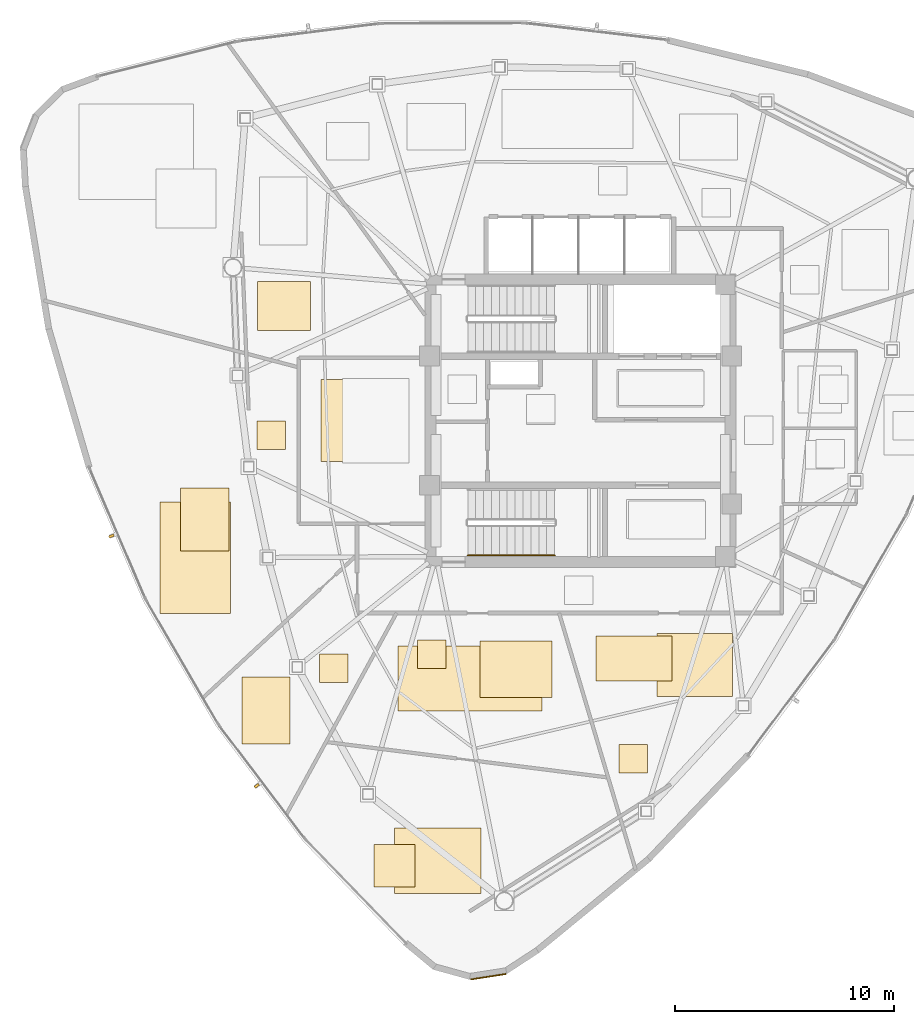
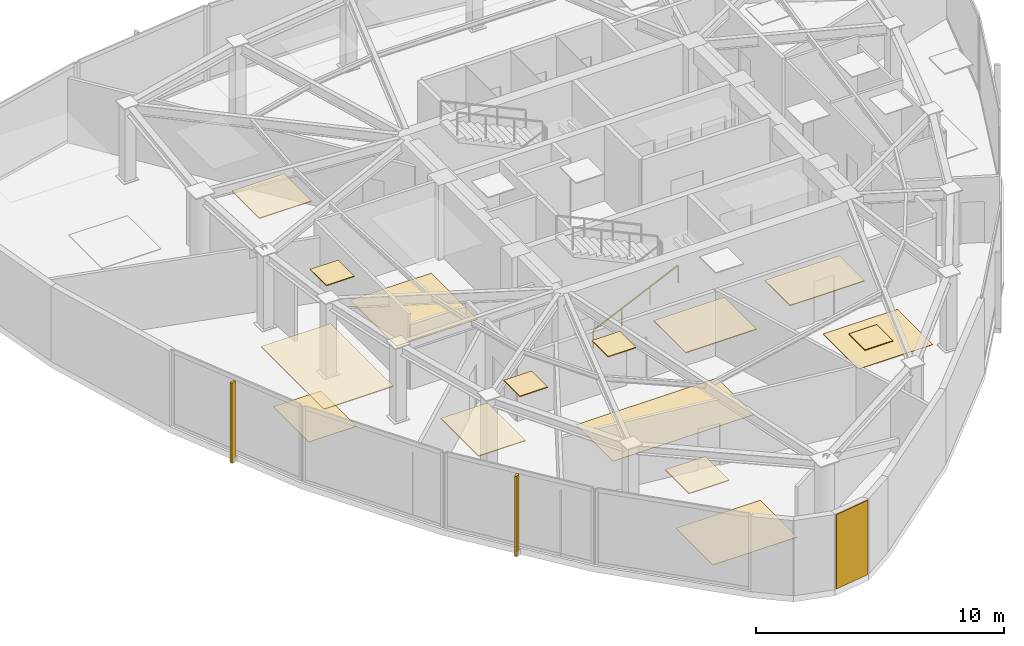
# One storey, part 10 of 12: 16 coverings, 2 shading devices, 1 railing.
"""IFC4 building model written with IfcOpenShell, lengths in metres."""

from ifc_helpers import new_model, si_unit, direction, frame, origin, origin_2d, place, context, subcontext, project, spatial, polyline, rectangle, outline, extrude, source, transform, mapped, material, layer, layer_set, type_object, type_shapes, element, save


model = new_model("IFC4")

# Units and contexts
model_context = context("Model", 3, precision=1e-05, world=origin(), true_north=direction((0.0, 1.0)))
body_context = subcontext(model_context, "Body", "Model", "MODEL_VIEW")
ifc_project = project(units=[si_unit("LENGTHUNIT", "METRE"), si_unit("AREAUNIT", "SQUARE_METRE"), si_unit("VOLUMEUNIT", "CUBIC_METRE"), si_unit("PLANEANGLEUNIT", "RADIAN"), si_unit("MASSUNIT", "GRAM", prefix="KILO")], contexts=[model_context])

# Site, building, storey
site_placement = place(None, origin())
site = spatial("IfcSite", under=ifc_project, at=site_placement, CompositionType="ELEMENT")
building_placement = place(site_placement, origin())
building = spatial("IfcBuilding", under=site, at=building_placement, Name="Tavelor Broadcast Tower", CompositionType="ELEMENT")
storey_placement = place(building_placement, frame((0.0, 0.0, 281.5)))
storey = spatial("IfcBuildingStorey", under=building, at=storey_placement, Name="L67", CompositionType="ELEMENT", Elevation=281.5)

# Covering
ifc_material_1 = material(Name="Copper-Bronze Anodized Aluminium", Category="aluminium")
ifc_layer_1 = layer(ifc_material_1, 0.050048828125)
ifc_layer_set_1 = layer_set([ifc_layer_1], Name="Copper-Bronze Anodized Aluminium")
covering_type_1 = type_object("IfcCoveringType", Name="Champagne-Bronze Corner Pier Metal Cladding 50 mm", PredefinedType="CLADDING", material=ifc_layer_set_1)
covering_1_placement = place(storey_placement, frame((45.785888671875, 19.625244140625, 0.02001953125), z_axis=(0.0, 0.0, 1.0), x_axis=(0.988094499846, 0.153848169873, 0.0)))
element("IfcCovering", 1, at=covering_1_placement, inside=storey, type_object=covering_type_1, Name="L67 Champagne-Bronze Corner Cladding 13", PredefinedType="CLADDING", context=body_context, shape_type="SweptSolid", body=[
    extrude(rectangle(XDim=1.6337890625, YDim=0.050048828125, at=origin_2d()), origin(), (0.0, 0.0, 1.0), 3.659912109375),
])

# Railing
ifc_material_2 = material(Name="Steel S355", Category="steel")
railing_type = type_object("IfcRailingType", Name="Continuous Brushed Stainless Handrail 900 mm", PredefinedType="HANDRAIL", material=ifc_material_2)
railing_placement = place(storey_placement, frame((44.85009765625, 38.85009765625, 0.166748046875)))
element("IfcRailing", 2, at=railing_placement, inside=storey, type_object=railing_type, Name="L67 ST2 stair handrail 1", PredefinedType="HANDRAIL", context=body_context, shape_type="SweptSolid", body=[
    extrude(rectangle(XDim=0.048095703125, YDim=0.048095703125, at=origin_2d()), frame((0.0, 0.0, 0.8759765625), z_axis=(0.907472437036, 0.0, 0.420111623286), x_axis=(0.0, 1.0, 0.0)), (0.0, 0.0, 1.0), 4.36376953125),
    extrude(rectangle(XDim=0.0419921875, YDim=0.0419921875, at=origin_2d()), origin(), (0.0, 0.0, 1.0), 0.851806640625),
    extrude(rectangle(XDim=0.0419921875, YDim=0.0419921875, at=origin_2d()), frame((1.320068359375, 0.0, 0.611083984375)), (0.0, 0.0, 1.0), 0.851806640625),
    extrude(rectangle(XDim=0.0419921875, YDim=0.0419921875, at=origin_2d()), frame((2.639892578125, 0.0, 1.22216796875)), (0.0, 0.0, 1.0), 0.851806640625),
    extrude(rectangle(XDim=0.0419921875, YDim=0.0419921875, at=origin_2d()), frame((3.9599609375, 0.0, 1.833251953125)), (0.0, 0.0, 1.0), 0.851806640625),
])

# Coverings
ifc_material_3 = material(Name="Acoustic Nylon Carpet Tile")
ifc_layer_2 = layer(ifc_material_3, 0.02001953125)
ifc_layer_set_2 = layer_set([ifc_layer_2], Name="Acoustic Nylon Carpet Tile")
covering_type_2 = type_object("IfcCoveringType", Name="Heavy-Duty Acoustic Broadcast Carpet Tile 20 mm", PredefinedType="FLOORING", material=ifc_layer_set_2)
covering_2_placement = place(storey_placement, origin())
element("IfcCovering", 3, at=covering_2_placement, inside=storey, type_object=covering_type_2, Name="L67 Broadcast Floor Finish 0999", PredefinedType="FLOORING", context=body_context, shape_type="SweptSolid", body=[
    extrude(outline(polyline([(38.15771484375, 43.12890625), (41.942138671875, 43.12890625), (41.942138671875, 46.87060546875), (38.15771484375, 46.87060546875), (38.15771484375, 43.12890625)])), origin(), (0.0, 0.0, 1.0), 0.02001953125),
])
covering_3_placement = place(storey_placement, origin())
element("IfcCovering", 4, at=covering_3_placement, inside=storey, type_object=covering_type_2, Name="L67 Broadcast Floor Finish 1003", PredefinedType="FLOORING", context=body_context, shape_type="SweptSolid", body=[
    extrude(outline(polyline([(53.481689453125, 32.42138671875), (56.940673828125, 32.42138671875), (56.940673828125, 35.277587890625), (53.481689453125, 35.277587890625), (53.481689453125, 32.42138671875)])), origin(), (0.0, 0.0, 1.0), 0.02001953125),
])
covering_4_placement = place(storey_placement, origin())
element("IfcCovering", 5, at=covering_4_placement, inside=storey, type_object=covering_type_2, Name="L67 Broadcast Floor Finish 1004", PredefinedType="FLOORING", context=body_context, shape_type="SweptSolid", body=[
    extrude(outline(polyline([(41.515869140625, 23.43115234375), (45.443603515625, 23.43115234375), (45.443603515625, 26.4228515625), (41.515869140625, 26.4228515625), (41.515869140625, 23.43115234375)])), origin(), (0.0, 0.0, 1.0), 0.02001953125),
])
covering_5_placement = place(storey_placement, origin())
element("IfcCovering", 6, at=covering_5_placement, inside=storey, type_object=covering_type_2, Name="L67 Broadcast Floor Finish 1005", PredefinedType="FLOORING", context=body_context, shape_type="SweptSolid", body=[
    extrude(outline(polyline([(31.7294921875, 39.0546875), (33.948974609375, 39.0546875), (33.948974609375, 41.927001953125), (31.7294921875, 41.927001953125), (31.7294921875, 39.0546875)])), origin(), (0.0, 0.0, 1.0), 0.02001953125),
])
covering_6_placement = place(storey_placement, origin())
element("IfcCovering", 7, at=covering_6_placement, inside=storey, type_object=covering_type_2, Name="L67 Broadcast Floor Finish 1008", PredefinedType="FLOORING", context=body_context, shape_type="SweptSolid", body=[
    extrude(outline(polyline([(41.67138671875, 31.759521484375), (48.234619140625, 31.759521484375), (48.234619140625, 34.727294921875), (41.67138671875, 34.727294921875), (41.67138671875, 31.759521484375)])), origin(), (0.0, 0.0, 1.0), 0.02001953125),
])
ifc_material_4 = material(Name="Acoustic Mineral Fibre Tile")
ifc_layer_3 = layer(ifc_material_4, 0.0400390625)
ifc_layer_set_3 = layer_set([ifc_layer_3], Name="Acoustic Mineral Fibre Tile")
covering_type_3 = type_object("IfcCoveringType", Name="Suspended Acoustic Mineral-Fibre Office Ceiling 40 mm", PredefinedType="CEILING", material=ifc_layer_set_3)
covering_7_placement = place(storey_placement, frame((0.0, 0.0, 3.659912109375)))
element("IfcCovering", 8, at=covering_7_placement, inside=storey, type_object=covering_type_3, Name="L67 Suspended Acoustic Ceiling 2578", PredefinedType="CEILING", context=body_context, shape_type="SweptSolid", body=[
    extrude(outline(polyline([(51.75830078125, 28.91162109375), (53.058349609375, 28.91162109375), (53.058349609375, 30.211669921875), (51.75830078125, 30.211669921875), (51.75830078125, 28.91162109375)])), origin(), (0.0, 0.0, 1.0), 0.0400390625),
])
covering_8_placement = place(storey_placement, frame((0.0, 0.0, 3.659912109375)))
element("IfcCovering", 9, at=covering_8_placement, inside=storey, type_object=covering_type_3, Name="L67 Suspended Acoustic Ceiling 2579", PredefinedType="CEILING", context=body_context, shape_type="SweptSolid", body=[
    extrude(outline(polyline([(50.701904296875, 33.12890625), (54.17041015625, 33.12890625), (54.17041015625, 35.1708984375), (50.701904296875, 35.1708984375), (50.701904296875, 33.12890625)])), origin(), (0.0, 0.0, 1.0), 0.0400390625),
])
covering_9_placement = place(storey_placement, frame((0.0, 0.0, 3.659912109375)))
element("IfcCovering", 10, at=covering_9_placement, inside=storey, type_object=covering_type_3, Name="L67 Suspended Acoustic Ceiling 2580", PredefinedType="CEILING", context=body_context, shape_type="SweptSolid", body=[
    extrude(outline(polyline([(40.57568359375, 23.721923828125), (42.444091796875, 23.721923828125), (42.444091796875, 25.6533203125), (40.57568359375, 25.6533203125), (40.57568359375, 23.721923828125)])), origin(), (0.0, 0.0, 1.0), 0.0400390625),
])
covering_10_placement = place(storey_placement, frame((0.0, 0.0, 3.659912109375)))
element("IfcCovering", 11, at=covering_10_placement, inside=storey, type_object=covering_type_3, Name="L67 Suspended Acoustic Ceiling 2581", PredefinedType="CEILING", context=body_context, shape_type="SweptSolid", body=[
    extrude(outline(polyline([(38.084228515625, 33.04833984375), (39.38427734375, 33.04833984375), (39.38427734375, 34.348388671875), (38.084228515625, 34.348388671875), (38.084228515625, 33.04833984375)])), origin(), (0.0, 0.0, 1.0), 0.0400390625),
])
covering_11_placement = place(storey_placement, frame((0.0, 0.0, 3.659912109375)))
element("IfcCovering", 12, at=covering_11_placement, inside=storey, type_object=covering_type_3, Name="L67 Suspended Acoustic Ceiling 2582", PredefinedType="CEILING", context=body_context, shape_type="SweptSolid", body=[
    extrude(outline(polyline([(34.54541015625, 30.2412109375), (36.727294921875, 30.2412109375), (36.727294921875, 33.296630859375), (34.54541015625, 33.296630859375), (34.54541015625, 30.2412109375)])), origin(), (0.0, 0.0, 1.0), 0.0400390625),
])
covering_12_placement = place(storey_placement, frame((0.0, 0.0, 3.659912109375)))
element("IfcCovering", 13, at=covering_12_placement, inside=storey, type_object=covering_type_3, Name="L67 Suspended Acoustic Ceiling 2583", PredefinedType="CEILING", context=body_context, shape_type="SweptSolid", body=[
    extrude(outline(polyline([(30.7919921875, 36.210693359375), (34.02978515625, 36.210693359375), (34.02978515625, 41.2900390625), (30.7919921875, 41.2900390625), (30.7919921875, 36.210693359375)])), origin(), (0.0, 0.0, 1.0), 0.0400390625),
])
covering_13_placement = place(storey_placement, frame((0.0, 0.0, 3.659912109375)))
element("IfcCovering", 14, at=covering_13_placement, inside=storey, type_object=covering_type_3, Name="L67 Suspended Acoustic Ceiling 2584", PredefinedType="CEILING", context=body_context, shape_type="SweptSolid", body=[
    extrude(outline(polyline([(35.2236328125, 43.694580078125), (36.523681640625, 43.694580078125), (36.523681640625, 44.99462890625), (35.2236328125, 44.99462890625), (35.2236328125, 43.694580078125)])), origin(), (0.0, 0.0, 1.0), 0.0400390625),
])
covering_14_placement = place(storey_placement, frame((0.0, 0.0, 3.659912109375)))
element("IfcCovering", 15, at=covering_14_placement, inside=storey, type_object=covering_type_3, Name="L67 Suspended Acoustic Ceiling 2586", PredefinedType="CEILING", context=body_context, shape_type="SweptSolid", body=[
    extrude(outline(polyline([(35.247314453125, 49.128173828125), (37.681884765625, 49.128173828125), (37.681884765625, 51.351318359375), (35.247314453125, 51.351318359375), (35.247314453125, 49.128173828125)])), origin(), (0.0, 0.0, 1.0), 0.0400390625),
])
covering_15_placement = place(storey_placement, frame((0.0, 0.0, 3.659912109375)))
element("IfcCovering", 16, at=covering_15_placement, inside=storey, type_object=covering_type_3, Name="L67 Suspended Acoustic Ceiling 2596", PredefinedType="CEILING", context=body_context, shape_type="SweptSolid", body=[
    extrude(outline(polyline([(42.555419921875, 33.6826171875), (43.855224609375, 33.6826171875), (43.855224609375, 34.982666015625), (42.555419921875, 34.982666015625), (42.555419921875, 33.6826171875)])), origin(), (0.0, 0.0, 1.0), 0.0400390625),
])
covering_16_placement = place(storey_placement, frame((0.0, 0.0, 3.659912109375)))
element("IfcCovering", 17, at=covering_16_placement, inside=storey, type_object=covering_type_3, Name="L67 Suspended Acoustic Ceiling 2597", PredefinedType="CEILING", context=body_context, shape_type="SweptSolid", body=[
    extrude(outline(polyline([(45.414794921875, 32.362548828125), (48.7021484375, 32.362548828125), (48.7021484375, 34.95458984375), (45.414794921875, 34.95458984375), (45.414794921875, 32.362548828125)])), origin(), (0.0, 0.0, 1.0), 0.0400390625),
])

# Shading devices
ifc_material_5 = material(Name="Kiln-Fired Glazed Terracotta", Category="masonry")
shading_device_type = type_object("IfcShadingDeviceType", Name="Extruded Terracotta Baguette Sun-Screen 110x240", PredefinedType="JALOUSIE", material=ifc_material_5)
shared_shape = source(origin(), body_context, "Body", "SweptSolid", [
    extrude(rectangle(XDim=0.110107421875, YDim=0.239990234375, at=origin_2d()), origin(), (0.0, 0.0, 1.0), 3.93994140625),
])
type_shapes(shading_device_type, [shared_shape])
for number, where, z_axis, x_axis, name in (
    (18, (28.5869140625, 39.73828125, -0.260009765625), (0.0, 0.0, 1.0), (0.394262724343, -0.918997771593, 0.0), "L67 Terracotta Baguette Fin 673"),
    (19, (35.2158203125, 28.337158203125, -0.260009765625), (0.0, 0.0, 1.0), (0.603625519008, -0.797267980545, 0.0), "L67 Terracotta Baguette Fin 674"),
):
    element("IfcShadingDevice", number, at=place(storey_placement, frame(where, z_axis=z_axis, x_axis=x_axis)), inside=storey, type_object=shading_device_type, Name=name, PredefinedType="JALOUSIE", context=body_context, shape_type="MappedRepresentation", body=[
        mapped(shared_shape, transform((0.0, 0.0, 0.0), scale=1.0)),
    ])

save(model, "model.ifc")
